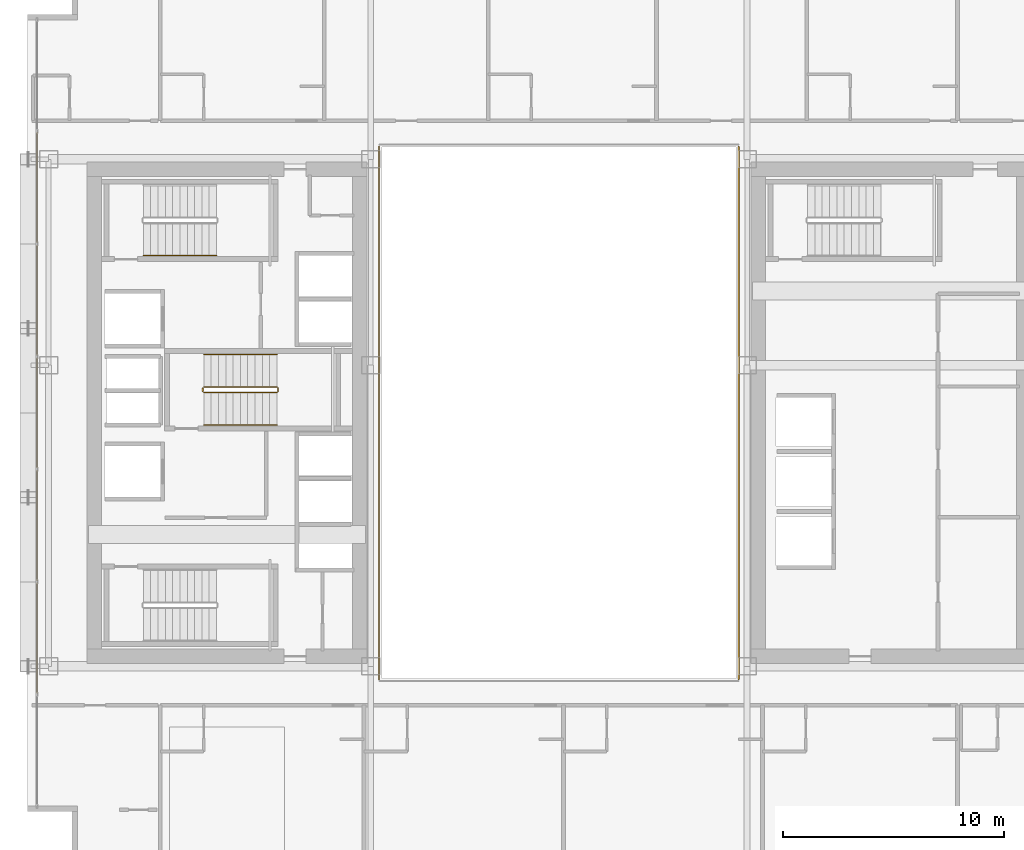
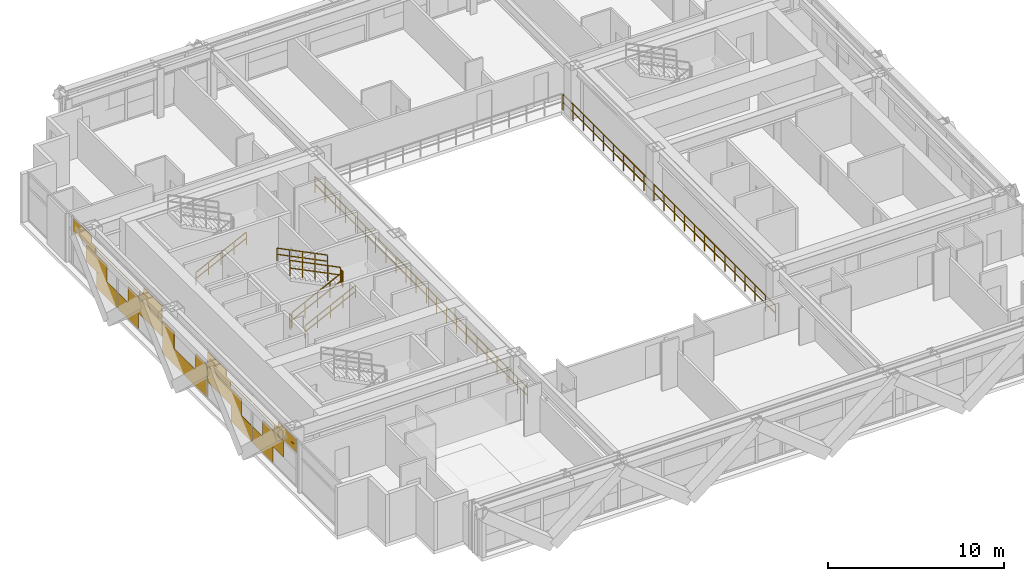
# One storey, part 33 of 35: 9 railings, 1 covering.
"""IFC4 building model written with IfcOpenShell, lengths in metres."""

from ifc_helpers import new_model, si_unit, direction, frame, origin, origin_2d, place, context, subcontext, project, spatial, rectangle, extrude, material, layer, layer_set, type_object, element, save


model = new_model("IFC4")

# Units and contexts
model_context = context("Model", 3, precision=1e-05, world=origin(), true_north=direction((0.0, 1.0)))
body_context = subcontext(model_context, "Body", "Model", "MODEL_VIEW")
ifc_project = project(units=[si_unit("LENGTHUNIT", "METRE"), si_unit("AREAUNIT", "SQUARE_METRE"), si_unit("VOLUMEUNIT", "CUBIC_METRE"), si_unit("PLANEANGLEUNIT", "RADIAN"), si_unit("MASSUNIT", "GRAM", prefix="KILO")], contexts=[model_context])

# Site, building, storey
site_placement = place(None, origin())
site = spatial("IfcSite", under=ifc_project, at=site_placement, CompositionType="ELEMENT")
building_placement = place(site_placement, origin())
building = spatial("IfcBuilding", under=site, at=building_placement, Name="Ocotamira Hotel", CompositionType="ELEMENT")
storey_placement = place(building_placement, frame((0.0, 0.0, 115.199951171875)))
storey = spatial("IfcBuildingStorey", under=building, at=storey_placement, Name="L28", CompositionType="ELEMENT", Elevation=115.199951171875)

# Covering
ifc_material_1 = material(Name="Insulated pale-metal aluminium spandrel panel", Category="aluminium")
ifc_layer = layer(ifc_material_1, 0.044921875)
ifc_layer_set = layer_set([ifc_layer], Name="Insulated pale-metal aluminium spandrel panel")
covering_type = type_object("IfcCoveringType", Name="COV-INFILL-45", PredefinedType="CLADDING", material=ifc_layer_set)
covering_placement = place(storey_placement, origin())
element("IfcCovering", 1, at=covering_placement, inside=storey, type_object=covering_type, Name="L28 Curtain Wall Infill CW-3 CW-L28-W", PredefinedType="CLADDING", context=body_context, shape_type="SweptSolid", body=[
    extrude(rectangle(XDim=2.35107421875, YDim=0.044921875, at=origin_2d()), frame((8.419921875, 15.988525390625, 1.1943359375), z_axis=(0.0, 0.0, 1.0), x_axis=(0.0, 1.0, 0.0)), (0.0, 0.0, 1.0), 1.117919921875),
    extrude(rectangle(XDim=2.331787109375, YDim=0.044921875, at=origin_2d()), frame((8.419921875, 17.1650390625, 0.07568359375), z_axis=(0.0, 0.0, 1.0), x_axis=(0.0, 1.0, 0.0)), (0.0, 0.0, 1.0), 1.11767578125),
    extrude(rectangle(XDim=2.572265625, YDim=0.044921875, at=origin_2d()), frame((8.419921875, 14.6123046875, 2.38818359375), z_axis=(0.0, 0.0, 1.0), x_axis=(0.0, 1.0, 0.0)), (0.0, 0.0, 1.0), 0.413330078125),
    extrude(rectangle(XDim=5.004638671875, YDim=0.044921875, at=origin_2d()), frame((8.419921875, 15.82861328125, 2.802490234375), z_axis=(0.0, 0.0, 1.0), x_axis=(0.0, 1.0, 0.0)), (0.0, 0.0, 1.0), 0.033203125),
    extrude(rectangle(XDim=2.096435546875, YDim=0.044921875, at=origin_2d()), frame((8.419921875, 14.37451171875, 2.836669921875), z_axis=(0.0, 0.0, 1.0), x_axis=(0.0, 1.0, 0.0)), (0.0, 0.0, 1.0), 0.44775390625),
    extrude(rectangle(XDim=2.322265625, YDim=0.044921875, at=origin_2d()), frame((8.419921875, 19.572998046875, 0.07568359375), z_axis=(0.0, 0.0, 1.0), x_axis=(0.0, 1.0, 0.0)), (0.0, 0.0, 1.0), 1.11767578125),
    extrude(rectangle(XDim=3.847412109375, YDim=0.044921875, at=origin_2d()), frame((8.419921875, 21.492919921875, 1.1943359375), z_axis=(0.0, 0.0, 1.0), x_axis=(0.0, 1.0, 0.0)), (0.0, 0.0, 1.0), 1.117919921875),
    extrude(rectangle(XDim=5.004638671875, YDim=0.044921875, at=origin_2d()), frame((8.419921875, 20.914306640625, 2.802490234375), z_axis=(0.0, 0.0, 1.0), x_axis=(0.0, 1.0, 0.0)), (0.0, 0.0, 1.0), 0.033203125),
    extrude(rectangle(XDim=2.581787109375, YDim=0.044921875, at=origin_2d()), frame((8.419921875, 22.125732421875, 2.38818359375), z_axis=(0.0, 0.0, 1.0), x_axis=(0.0, 1.0, 0.0)), (0.0, 0.0, 1.0), 0.413330078125),
    extrude(rectangle(XDim=2.106201171875, YDim=0.044921875, at=origin_2d()), frame((8.419921875, 22.363525390625, 2.836669921875), z_axis=(0.0, 0.0, 1.0), x_axis=(0.0, 1.0, 0.0)), (0.0, 0.0, 1.0), 0.44775390625),
    extrude(rectangle(XDim=5.004638671875, YDim=0.044921875, at=origin_2d()), frame((8.419921875, 26.0, 0.07568359375), z_axis=(0.0, 0.0, 1.0), x_axis=(0.0, 1.0, 0.0)), (0.0, 0.0, 1.0), 1.11767578125),
    extrude(rectangle(XDim=1.2998046875, YDim=0.044921875, at=origin_2d()), frame((8.419921875, 24.1474609375, 1.1943359375), z_axis=(0.0, 0.0, 1.0), x_axis=(0.0, 1.0, 0.0)), (0.0, 0.0, 1.0), 1.117919921875),
    extrude(rectangle(XDim=1.2998046875, YDim=0.044921875, at=origin_2d()), frame((8.419921875, 27.8525390625, 1.1943359375), z_axis=(0.0, 0.0, 1.0), x_axis=(0.0, 1.0, 0.0)), (0.0, 0.0, 1.0), 1.117919921875),
    extrude(rectangle(XDim=3.847412109375, YDim=0.044921875, at=origin_2d()), frame((8.419921875, 30.507080078125, 1.1943359375), z_axis=(0.0, 0.0, 1.0), x_axis=(0.0, 1.0, 0.0)), (0.0, 0.0, 1.0), 1.117919921875),
    extrude(rectangle(XDim=2.322265625, YDim=0.044921875, at=origin_2d()), frame((8.419921875, 32.427001953125, 0.07568359375), z_axis=(0.0, 0.0, 1.0), x_axis=(0.0, 1.0, 0.0)), (0.0, 0.0, 1.0), 1.11767578125),
    extrude(rectangle(XDim=2.581787109375, YDim=0.044921875, at=origin_2d()), frame((8.419921875, 29.874267578125, 2.38818359375), z_axis=(0.0, 0.0, 1.0), x_axis=(0.0, 1.0, 0.0)), (0.0, 0.0, 1.0), 0.413330078125),
    extrude(rectangle(XDim=5.004638671875, YDim=0.044921875, at=origin_2d()), frame((8.419921875, 31.085693359375, 2.802490234375), z_axis=(0.0, 0.0, 1.0), x_axis=(0.0, 1.0, 0.0)), (0.0, 0.0, 1.0), 0.033203125),
    extrude(rectangle(XDim=2.106201171875, YDim=0.044921875, at=origin_2d()), frame((8.419921875, 29.636474609375, 2.836669921875), z_axis=(0.0, 0.0, 1.0), x_axis=(0.0, 1.0, 0.0)), (0.0, 0.0, 1.0), 0.44775390625),
    extrude(rectangle(XDim=2.331787109375, YDim=0.044921875, at=origin_2d()), frame((8.419921875, 34.8349609375, 0.07568359375), z_axis=(0.0, 0.0, 1.0), x_axis=(0.0, 1.0, 0.0)), (0.0, 0.0, 1.0), 1.11767578125),
    extrude(rectangle(XDim=2.35107421875, YDim=0.044921875, at=origin_2d()), frame((8.419921875, 36.011474609375, 1.1943359375), z_axis=(0.0, 0.0, 1.0), x_axis=(0.0, 1.0, 0.0)), (0.0, 0.0, 1.0), 1.117919921875),
    extrude(rectangle(XDim=5.004638671875, YDim=0.044921875, at=origin_2d()), frame((8.419921875, 36.17138671875, 2.802490234375), z_axis=(0.0, 0.0, 1.0), x_axis=(0.0, 1.0, 0.0)), (0.0, 0.0, 1.0), 0.033203125),
    extrude(rectangle(XDim=2.572265625, YDim=0.044921875, at=origin_2d()), frame((8.419921875, 37.3876953125, 2.38818359375), z_axis=(0.0, 0.0, 1.0), x_axis=(0.0, 1.0, 0.0)), (0.0, 0.0, 1.0), 0.413330078125),
    extrude(rectangle(XDim=2.096435546875, YDim=0.044921875, at=origin_2d()), frame((8.419921875, 37.62548828125, 2.836669921875), z_axis=(0.0, 0.0, 1.0), x_axis=(0.0, 1.0, 0.0)), (0.0, 0.0, 1.0), 0.44775390625),
])

# Railings
ifc_material_2 = material(Name="Painted steel stair guardrail", Category="steel")
railing_type_1 = type_object("IfcRailingType", Name="RL-EDGE-1150", PredefinedType="GUARDRAIL", material=ifc_material_2)
railing_1_placement = place(storey_placement, frame((40.1201171875, 13.9599609375, 0.0)))
element("IfcRailing", 2, at=railing_1_placement, inside=storey, type_object=railing_type_1, Name="L28 Central Atrium Edge Guardrail E", PredefinedType="GUARDRAIL", context=body_context, shape_type="SweptSolid", body=[
    extrude(rectangle(XDim=0.048095703125, YDim=0.048095703125, at=origin_2d()), frame((0.0, 0.0, 1.1259765625), z_axis=(0.0, 1.0, 0.0), x_axis=(-1.0, 0.0, 0.0)), (0.0, 0.0, 1.0), 24.080078125),
    extrude(rectangle(XDim=0.048095703125, YDim=0.048095703125, at=origin_2d()), frame((0.0, 0.0, 0.574951171875), z_axis=(0.0, 1.0, 0.0), x_axis=(-1.0, 0.0, 0.0)), (0.0, 0.0, 1.0), 24.080078125),
    extrude(rectangle(XDim=0.0419921875, YDim=0.0419921875, at=origin_2d()), origin(), (0.0, 0.0, 1.0), 1.101806640625),
    extrude(rectangle(XDim=0.0419921875, YDim=0.0419921875, at=origin_2d()), frame((0.0, 1.146728515625, 0.0)), (0.0, 0.0, 1.0), 1.101806640625),
    extrude(rectangle(XDim=0.0419921875, YDim=0.0419921875, at=origin_2d()), frame((0.0, 2.29345703125, 0.0)), (0.0, 0.0, 1.0), 1.101806640625),
    extrude(rectangle(XDim=0.0419921875, YDim=0.0419921875, at=origin_2d()), frame((0.0, 3.43994140625, 0.0)), (0.0, 0.0, 1.0), 1.101806640625),
    extrude(rectangle(XDim=0.0419921875, YDim=0.0419921875, at=origin_2d()), frame((0.0, 4.586669921875, 0.0)), (0.0, 0.0, 1.0), 1.101806640625),
    extrude(rectangle(XDim=0.0419921875, YDim=0.0419921875, at=origin_2d()), frame((0.0, 5.7333984375, 0.0)), (0.0, 0.0, 1.0), 1.101806640625),
    extrude(rectangle(XDim=0.0419921875, YDim=0.0419921875, at=origin_2d()), frame((0.0, 6.880126953125, 0.0)), (0.0, 0.0, 1.0), 1.101806640625),
    extrude(rectangle(XDim=0.0419921875, YDim=0.0419921875, at=origin_2d()), frame((0.0, 8.026611328125, 0.0)), (0.0, 0.0, 1.0), 1.101806640625),
    extrude(rectangle(XDim=0.0419921875, YDim=0.0419921875, at=origin_2d()), frame((0.0, 9.17333984375, 0.0)), (0.0, 0.0, 1.0), 1.101806640625),
    extrude(rectangle(XDim=0.0419921875, YDim=0.0419921875, at=origin_2d()), frame((0.0, 10.320068359375, 0.0)), (0.0, 0.0, 1.0), 1.101806640625),
    extrude(rectangle(XDim=0.0419921875, YDim=0.0419921875, at=origin_2d()), frame((0.0, 11.466796875, 0.0)), (0.0, 0.0, 1.0), 1.101806640625),
    extrude(rectangle(XDim=0.0419921875, YDim=0.0419921875, at=origin_2d()), frame((0.0, 12.61328125, 0.0)), (0.0, 0.0, 1.0), 1.101806640625),
    extrude(rectangle(XDim=0.0419921875, YDim=0.0419921875, at=origin_2d()), frame((0.0, 13.760009765625, 0.0)), (0.0, 0.0, 1.0), 1.101806640625),
    extrude(rectangle(XDim=0.0419921875, YDim=0.0419921875, at=origin_2d()), frame((0.0, 14.90673828125, 0.0)), (0.0, 0.0, 1.0), 1.101806640625),
    extrude(rectangle(XDim=0.0419921875, YDim=0.0419921875, at=origin_2d()), frame((0.0, 16.053466796875, 0.0)), (0.0, 0.0, 1.0), 1.101806640625),
    extrude(rectangle(XDim=0.0419921875, YDim=0.0419921875, at=origin_2d()), frame((0.0, 17.199951171875, 0.0)), (0.0, 0.0, 1.0), 1.101806640625),
    extrude(rectangle(XDim=0.0419921875, YDim=0.0419921875, at=origin_2d()), frame((0.0, 18.3466796875, 0.0)), (0.0, 0.0, 1.0), 1.101806640625),
    extrude(rectangle(XDim=0.0419921875, YDim=0.0419921875, at=origin_2d()), frame((0.0, 19.493408203125, 0.0)), (0.0, 0.0, 1.0), 1.101806640625),
    extrude(rectangle(XDim=0.0419921875, YDim=0.0419921875, at=origin_2d()), frame((0.0, 20.64013671875, 0.0)), (0.0, 0.0, 1.0), 1.101806640625),
    extrude(rectangle(XDim=0.0419921875, YDim=0.0419921875, at=origin_2d()), frame((0.0, 21.78662109375, 0.0)), (0.0, 0.0, 1.0), 1.101806640625),
    extrude(rectangle(XDim=0.0419921875, YDim=0.0419921875, at=origin_2d()), frame((0.0, 22.933349609375, 0.0)), (0.0, 0.0, 1.0), 1.101806640625),
    extrude(rectangle(XDim=0.0419921875, YDim=0.0419921875, at=origin_2d()), frame((0.0, 24.080078125, 0.0)), (0.0, 0.0, 1.0), 1.101806640625),
])
railing_2_placement = place(storey_placement, frame((23.8798828125, 38.0400390625, 0.0)))
element("IfcRailing", 3, at=railing_2_placement, inside=storey, type_object=railing_type_1, Name="L28 Central Atrium Edge Guardrail W", PredefinedType="GUARDRAIL", context=body_context, shape_type="SweptSolid", body=[
    extrude(rectangle(XDim=0.048095703125, YDim=0.048095703125, at=origin_2d()), frame((0.0, 0.0, 1.1259765625), z_axis=(0.0, -1.0, 0.0), x_axis=(1.0, 0.0, 0.0)), (0.0, 0.0, 1.0), 24.080078125),
    extrude(rectangle(XDim=0.048095703125, YDim=0.048095703125, at=origin_2d()), frame((0.0, 0.0, 0.574951171875), z_axis=(0.0, -1.0, 0.0), x_axis=(1.0, 0.0, 0.0)), (0.0, 0.0, 1.0), 24.080078125),
    extrude(rectangle(XDim=0.0419921875, YDim=0.0419921875, at=origin_2d()), origin(), (0.0, 0.0, 1.0), 1.101806640625),
    extrude(rectangle(XDim=0.0419921875, YDim=0.0419921875, at=origin_2d()), frame((0.0, -1.146728515625, 0.0)), (0.0, 0.0, 1.0), 1.101806640625),
    extrude(rectangle(XDim=0.0419921875, YDim=0.0419921875, at=origin_2d()), frame((0.0, -2.29345703125, 0.0)), (0.0, 0.0, 1.0), 1.101806640625),
    extrude(rectangle(XDim=0.0419921875, YDim=0.0419921875, at=origin_2d()), frame((0.0, -3.43994140625, 0.0)), (0.0, 0.0, 1.0), 1.101806640625),
    extrude(rectangle(XDim=0.0419921875, YDim=0.0419921875, at=origin_2d()), frame((0.0, -4.586669921875, 0.0)), (0.0, 0.0, 1.0), 1.101806640625),
    extrude(rectangle(XDim=0.0419921875, YDim=0.0419921875, at=origin_2d()), frame((0.0, -5.7333984375, 0.0)), (0.0, 0.0, 1.0), 1.101806640625),
    extrude(rectangle(XDim=0.0419921875, YDim=0.0419921875, at=origin_2d()), frame((0.0, -6.880126953125, 0.0)), (0.0, 0.0, 1.0), 1.101806640625),
    extrude(rectangle(XDim=0.0419921875, YDim=0.0419921875, at=origin_2d()), frame((0.0, -8.026611328125, 0.0)), (0.0, 0.0, 1.0), 1.101806640625),
    extrude(rectangle(XDim=0.0419921875, YDim=0.0419921875, at=origin_2d()), frame((0.0, -9.17333984375, 0.0)), (0.0, 0.0, 1.0), 1.101806640625),
    extrude(rectangle(XDim=0.0419921875, YDim=0.0419921875, at=origin_2d()), frame((0.0, -10.320068359375, 0.0)), (0.0, 0.0, 1.0), 1.101806640625),
    extrude(rectangle(XDim=0.0419921875, YDim=0.0419921875, at=origin_2d()), frame((0.0, -11.466796875, 0.0)), (0.0, 0.0, 1.0), 1.101806640625),
    extrude(rectangle(XDim=0.0419921875, YDim=0.0419921875, at=origin_2d()), frame((0.0, -12.61328125, 0.0)), (0.0, 0.0, 1.0), 1.101806640625),
    extrude(rectangle(XDim=0.0419921875, YDim=0.0419921875, at=origin_2d()), frame((0.0, -13.760009765625, 0.0)), (0.0, 0.0, 1.0), 1.101806640625),
    extrude(rectangle(XDim=0.0419921875, YDim=0.0419921875, at=origin_2d()), frame((0.0, -14.90673828125, 0.0)), (0.0, 0.0, 1.0), 1.101806640625),
    extrude(rectangle(XDim=0.0419921875, YDim=0.0419921875, at=origin_2d()), frame((0.0, -16.053466796875, 0.0)), (0.0, 0.0, 1.0), 1.101806640625),
    extrude(rectangle(XDim=0.0419921875, YDim=0.0419921875, at=origin_2d()), frame((0.0, -17.199951171875, 0.0)), (0.0, 0.0, 1.0), 1.101806640625),
    extrude(rectangle(XDim=0.0419921875, YDim=0.0419921875, at=origin_2d()), frame((0.0, -18.3466796875, 0.0)), (0.0, 0.0, 1.0), 1.101806640625),
    extrude(rectangle(XDim=0.0419921875, YDim=0.0419921875, at=origin_2d()), frame((0.0, -19.493408203125, 0.0)), (0.0, 0.0, 1.0), 1.101806640625),
    extrude(rectangle(XDim=0.0419921875, YDim=0.0419921875, at=origin_2d()), frame((0.0, -20.64013671875, 0.0)), (0.0, 0.0, 1.0), 1.101806640625),
    extrude(rectangle(XDim=0.0419921875, YDim=0.0419921875, at=origin_2d()), frame((0.0, -21.78662109375, 0.0)), (0.0, 0.0, 1.0), 1.101806640625),
    extrude(rectangle(XDim=0.0419921875, YDim=0.0419921875, at=origin_2d()), frame((0.0, -22.933349609375, 0.0)), (0.0, 0.0, 1.0), 1.101806640625),
    extrude(rectangle(XDim=0.0419921875, YDim=0.0419921875, at=origin_2d()), frame((0.0, -24.080078125, 0.0)), (0.0, 0.0, 1.0), 1.101806640625),
])
ifc_material_3 = material(Name="Brushed stainless steel handrail", Category="steel")
railing_type_2 = type_object("IfcRailingType", Name="RL-HAND-900", PredefinedType="HANDRAIL", material=ifc_material_3)
for number, where, name in (
    (4, (13.22998046875, 33.10009765625, 0.327392578125), "L28 ST-2 stair handrail 1"),
    (5, (15.9599609375, 25.449951171875, 0.327392578125), "L28 ST-3 stair handrail 1"),
):
    element("IfcRailing", number, at=place(storey_placement, frame(where)), inside=storey, type_object=railing_type_2, Name=name, PredefinedType="HANDRAIL", context=body_context, shape_type="SweptSolid", body=[
        extrude(rectangle(XDim=0.048095703125, YDim=0.048095703125, at=origin_2d()), frame((0.0, 0.0, 0.8759765625), z_axis=(0.895920123917, 0.0, 0.444215186098), x_axis=(0.0, 1.0, 0.0)), (0.0, 0.0, 1.0), 3.683349609375),
        extrude(rectangle(XDim=0.048095703125, YDim=0.048095703125, at=origin_2d()), frame((0.0, 0.0, 0.449951171875), z_axis=(0.895920123917, 0.0, 0.444215186098), x_axis=(0.0, 1.0, 0.0)), (0.0, 0.0, 1.0), 3.683349609375),
        extrude(rectangle(XDim=0.0419921875, YDim=0.0419921875, at=origin_2d()), origin(), (0.0, 0.0, 1.0), 0.851806640625),
        extrude(rectangle(XDim=0.0419921875, YDim=0.0419921875, at=origin_2d()), frame((0.824951171875, 0.0, 0.4091796875)), (0.0, 0.0, 1.0), 0.851806640625),
        extrude(rectangle(XDim=0.0419921875, YDim=0.0419921875, at=origin_2d()), frame((1.64990234375, 0.0, 0.818115234375)), (0.0, 0.0, 1.0), 0.851806640625),
        extrude(rectangle(XDim=0.0419921875, YDim=0.0419921875, at=origin_2d()), frame((2.47509765625, 0.0, 1.22705078125)), (0.0, 0.0, 1.0), 0.851806640625),
        extrude(rectangle(XDim=0.0419921875, YDim=0.0419921875, at=origin_2d()), frame((3.300048828125, 0.0, 1.63623046875)), (0.0, 0.0, 1.0), 0.851806640625),
    ])
railing_3_placement = place(storey_placement, frame((19.260009765625, 28.6298828125, 2.12744140625)))
element("IfcRailing", 6, at=railing_3_placement, inside=storey, type_object=railing_type_2, Name="L28 ST-3 stair handrail 2", PredefinedType="HANDRAIL", context=body_context, shape_type="SweptSolid", body=[
    extrude(rectangle(XDim=0.048095703125, YDim=0.048095703125, at=origin_2d()), frame((0.0, 0.0, 0.8759765625), z_axis=(-0.895920123917, 0.0, 0.444215186098), x_axis=(0.0, -1.0, 0.0)), (0.0, 0.0, 1.0), 3.683349609375),
    extrude(rectangle(XDim=0.048095703125, YDim=0.048095703125, at=origin_2d()), frame((0.0, 0.0, 0.449951171875), z_axis=(-0.895920123917, 0.0, 0.444215186098), x_axis=(0.0, -1.0, 0.0)), (0.0, 0.0, 1.0), 3.683349609375),
    extrude(rectangle(XDim=0.0419921875, YDim=0.0419921875, at=origin_2d()), origin(), (0.0, 0.0, 1.0), 0.851806640625),
    extrude(rectangle(XDim=0.0419921875, YDim=0.0419921875, at=origin_2d()), frame((-0.824951171875, 0.0, 0.4091796875)), (0.0, 0.0, 1.0), 0.851806640625),
    extrude(rectangle(XDim=0.0419921875, YDim=0.0419921875, at=origin_2d()), frame((-1.64990234375, 0.0, 0.818115234375)), (0.0, 0.0, 1.0), 0.851806640625),
    extrude(rectangle(XDim=0.0419921875, YDim=0.0419921875, at=origin_2d()), frame((-2.47509765625, 0.0, 1.22705078125)), (0.0, 0.0, 1.0), 0.851806640625),
    extrude(rectangle(XDim=0.0419921875, YDim=0.0419921875, at=origin_2d()), frame((-3.300048828125, 0.0, 1.63623046875)), (0.0, 0.0, 1.0), 0.851806640625),
])
railing_type_3 = type_object("IfcRailingType", Name="RL-STAIR-1100", PredefinedType="GUARDRAIL", material=ifc_material_2)
railing_4_placement = place(storey_placement, frame((15.9599609375, 26.909912109375, 0.16357421875)))
element("IfcRailing", 7, at=railing_4_placement, inside=storey, type_object=railing_type_3, Name="L28 ST-3 stair guard 1", PredefinedType="GUARDRAIL", context=body_context, shape_type="SweptSolid", body=[
    extrude(rectangle(XDim=0.048095703125, YDim=0.048095703125, at=origin_2d()), frame((0.0, 0.0, 1.076171875), z_axis=(0.895893744519, 0.0, 0.4442683857), x_axis=(0.0, 1.0, 0.0)), (0.0, 0.0, 1.0), 3.68359375),
    extrude(rectangle(XDim=0.048095703125, YDim=0.048095703125, at=origin_2d()), frame((0.0, 0.0, 0.550048828125), z_axis=(0.895893744519, 0.0, 0.4442683857), x_axis=(0.0, 1.0, 0.0)), (0.0, 0.0, 1.0), 3.68359375),
    extrude(rectangle(XDim=0.0419921875, YDim=0.0419921875, at=origin_2d()), origin(), (0.0, 0.0, 1.0), 1.052001953125),
    extrude(rectangle(XDim=0.0419921875, YDim=0.0419921875, at=origin_2d()), frame((0.824951171875, 0.0, 0.4091796875)), (0.0, 0.0, 1.0), 1.052001953125),
    extrude(rectangle(XDim=0.0419921875, YDim=0.0419921875, at=origin_2d()), frame((1.64990234375, 0.0, 0.818359375)), (0.0, 0.0, 1.0), 1.052001953125),
    extrude(rectangle(XDim=0.0419921875, YDim=0.0419921875, at=origin_2d()), frame((2.47509765625, 0.0, 1.227294921875)), (0.0, 0.0, 1.0), 1.052001953125),
    extrude(rectangle(XDim=0.0419921875, YDim=0.0419921875, at=origin_2d()), frame((3.300048828125, 0.0, 1.636474609375)), (0.0, 0.0, 1.0), 1.052001953125),
])
railing_5_placement = place(storey_placement, frame((19.31005859375, 26.9599609375, 1.800048828125)))
element("IfcRailing", 8, at=railing_5_placement, inside=storey, type_object=railing_type_3, Name="L28 ST-3 stair guard 2", PredefinedType="GUARDRAIL", context=body_context, shape_type="SweptSolid", body=[
    extrude(rectangle(XDim=0.048095703125, YDim=0.048095703125, at=origin_2d()), frame((0.0, 0.0, 1.076171875), z_axis=(0.0, 1.0, 0.0), x_axis=(-1.0, 0.0, 0.0)), (0.0, 0.0, 1.0), 0.16015625),
    extrude(rectangle(XDim=0.048095703125, YDim=0.048095703125, at=origin_2d()), frame((0.0, 0.0, 0.550048828125), z_axis=(0.0, 1.0, 0.0), x_axis=(-1.0, 0.0, 0.0)), (0.0, 0.0, 1.0), 0.16015625),
    extrude(rectangle(XDim=0.0419921875, YDim=0.0419921875, at=origin_2d()), origin(), (0.0, 0.0, 1.0), 1.052001953125),
    extrude(rectangle(XDim=0.0419921875, YDim=0.0419921875, at=origin_2d()), frame((0.0, 0.16015625, 0.0)), (0.0, 0.0, 1.0), 1.052001953125),
])
railing_6_placement = place(storey_placement, frame((19.260009765625, 27.169921875, 1.963623046875)))
element("IfcRailing", 9, at=railing_6_placement, inside=storey, type_object=railing_type_3, Name="L28 ST-3 stair guard 3", PredefinedType="GUARDRAIL", context=body_context, shape_type="SweptSolid", body=[
    extrude(rectangle(XDim=0.048095703125, YDim=0.048095703125, at=origin_2d()), frame((0.0, 0.0, 1.076171875), z_axis=(-0.895893744519, 0.0, 0.4442683857), x_axis=(0.0, -1.0, 0.0)), (0.0, 0.0, 1.0), 3.68359375),
    extrude(rectangle(XDim=0.048095703125, YDim=0.048095703125, at=origin_2d()), frame((0.0, 0.0, 0.550048828125), z_axis=(-0.895893744519, 0.0, 0.4442683857), x_axis=(0.0, -1.0, 0.0)), (0.0, 0.0, 1.0), 3.68359375),
    extrude(rectangle(XDim=0.0419921875, YDim=0.0419921875, at=origin_2d()), origin(), (0.0, 0.0, 1.0), 1.052001953125),
    extrude(rectangle(XDim=0.0419921875, YDim=0.0419921875, at=origin_2d()), frame((-0.824951171875, 0.0, 0.4091796875)), (0.0, 0.0, 1.0), 1.052001953125),
    extrude(rectangle(XDim=0.0419921875, YDim=0.0419921875, at=origin_2d()), frame((-1.64990234375, 0.0, 0.818359375)), (0.0, 0.0, 1.0), 1.052001953125),
    extrude(rectangle(XDim=0.0419921875, YDim=0.0419921875, at=origin_2d()), frame((-2.47509765625, 0.0, 1.227294921875)), (0.0, 0.0, 1.0), 1.052001953125),
    extrude(rectangle(XDim=0.0419921875, YDim=0.0419921875, at=origin_2d()), frame((-3.300048828125, 0.0, 1.636474609375)), (0.0, 0.0, 1.0), 1.052001953125),
])
railing_7_placement = place(storey_placement, frame((15.909912109375, 26.9599609375, 0.0)))
element("IfcRailing", 10, at=railing_7_placement, inside=storey, type_object=railing_type_3, Name="L28 ST-3 stair guard 4", PredefinedType="GUARDRAIL", context=body_context, shape_type="SweptSolid", body=[
    extrude(rectangle(XDim=0.048095703125, YDim=0.048095703125, at=origin_2d()), frame((0.0, 0.0, 1.076171875), z_axis=(0.0, 1.0, 0.0), x_axis=(-1.0, 0.0, 0.0)), (0.0, 0.0, 1.0), 0.16015625),
    extrude(rectangle(XDim=0.048095703125, YDim=0.048095703125, at=origin_2d()), frame((0.0, 0.0, 0.550048828125), z_axis=(0.0, 1.0, 0.0), x_axis=(-1.0, 0.0, 0.0)), (0.0, 0.0, 1.0), 0.16015625),
    extrude(rectangle(XDim=0.0419921875, YDim=0.0419921875, at=origin_2d()), origin(), (0.0, 0.0, 1.0), 1.052001953125),
    extrude(rectangle(XDim=0.0419921875, YDim=0.0419921875, at=origin_2d()), frame((0.0, 0.16015625, 0.0)), (0.0, 0.0, 1.0), 1.052001953125),
])

save(model, "model.ifc")
